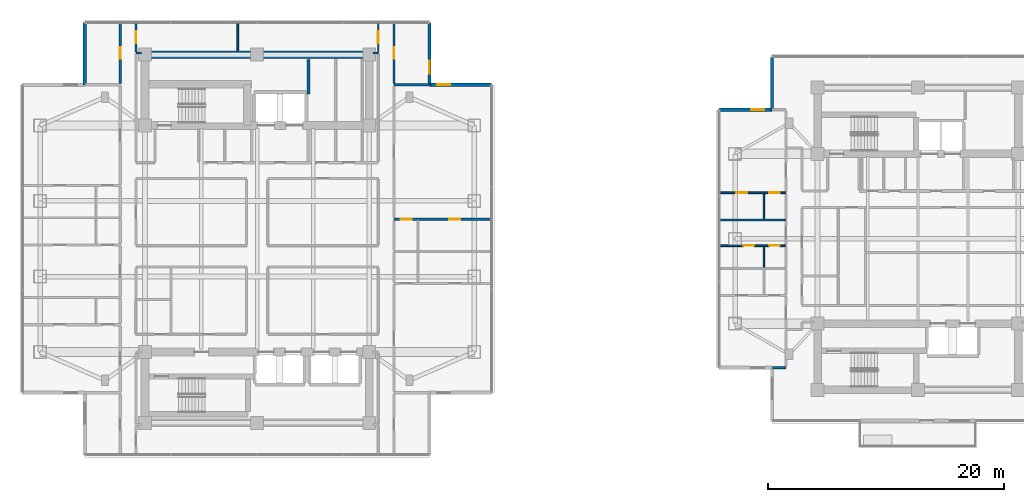
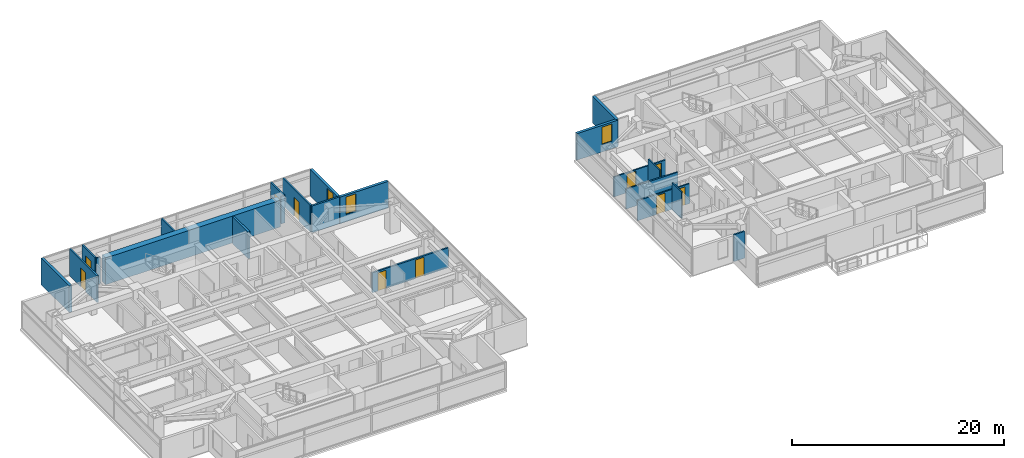
# One storey, part 16 of 24: 22 walls, 10 doors, 3 windows, 13 openings.
"""IFC4 building model written with IfcOpenShell, lengths in metres."""

from ifc_helpers import new_model, si_unit, direction, frame, frame_2d, origin, place, context, subcontext, project, spatial, rectangle, extrude, material, layer, layer_set, type_object, element, fill, save


model = new_model("IFC4")

# Units and contexts
model_context = context("Model", 3, precision=1e-05, world=origin(), true_north=direction((0.0, 1.0)))
body_context = subcontext(model_context, "Body", "Model", "MODEL_VIEW")
ifc_project = project(units=[si_unit("LENGTHUNIT", "METRE"), si_unit("AREAUNIT", "SQUARE_METRE"), si_unit("VOLUMEUNIT", "CUBIC_METRE"), si_unit("PLANEANGLEUNIT", "RADIAN"), si_unit("MASSUNIT", "GRAM", prefix="KILO")], contexts=[model_context])

# Site, building, storey
site_placement = place(None, origin())
site = spatial("IfcSite", under=ifc_project, at=site_placement, CompositionType="ELEMENT")
building_placement = place(site_placement, origin())
building = spatial("IfcBuilding", under=site, at=building_placement, Name="Mirazonda Arch Towers", CompositionType="ELEMENT")
storey_placement = place(building_placement, frame((0.0, 0.0, 118.10009765625)))
storey = spatial("IfcBuildingStorey", under=building, at=storey_placement, Name="L33", CompositionType="ELEMENT", Elevation=118.10009765625)

# Wall
ifc_material_1 = material(Name="Concrete C60/75", Category="concrete")
ifc_layer_1 = layer(ifc_material_1, 0.64990234375, Name="WALL-CORE-650")
ifc_layer_set_1 = layer_set([ifc_layer_1], Name="Concrete C60/75")
wall_type_1 = type_object("IfcWallType", Name="WALL-CORE-650", PredefinedType="SHEAR", material=ifc_layer_set_1)
wall_1_placement = place(storey_placement, frame((11.0, 43.60009765625, 0.0), z_axis=(0.0, 0.0, 1.0), x_axis=(1.0, 0.0, 0.0)))
element("IfcWall", 1, at=wall_1_placement, inside=storey, type_object=wall_type_1, Name="L33 T1N-N Core Shear Wall", PredefinedType="SHEAR", context=body_context, shape_type="SweptSolid", body=[
    extrude(rectangle(XDim=19.0, YDim=0.64990234375, at=frame_2d((9.5, 0.0))), origin(), (0.0, 0.0, 1.0), 3.079833984375),
])

# Wall, opening, window
ifc_material_2 = material(Name="Precast Concrete C40/50", Category="concrete")
ifc_layer_2 = layer(ifc_material_2, 0.280029296875, Name="WALL-EXT-WALL-280")
ifc_layer_set_2 = layer_set([ifc_layer_2], Name="Precast Concrete C40/50")
wall_type_2 = type_object("IfcWallType", Name="WALL-EXT-WALL-280", PredefinedType="SOLIDWALL", material=ifc_layer_set_2)
wall_2_placement = place(storey_placement, frame((35.110107421875, 41.050048828125, 0.0), z_axis=(0.0, 0.0, 1.0), x_axis=(0.0, 1.0, 0.0)))
wall_2 = element("IfcWall", 2, at=wall_2_placement, inside=storey, type_object=wall_type_2, Name="L33 T1 Notched NE Corner Wall WL-L33-T1-CNE", PredefinedType="SOLIDWALL", context=body_context, shape_type="SweptSolid", body=[
    extrude(rectangle(XDim=5.27001953125, YDim=0.280029296875, at=frame_2d((2.635009765625, 0.0))), origin(), (0.0, 0.0, 1.0), 3.059814453125),
])
opening_1_placement = place(wall_2_placement, frame((0.949951171875, 0.0, 0.85009765625)))
opening_1 = element("IfcOpeningElement", 3, at=opening_1_placement, cuts=wall_2, Name="Opening WN-108", PredefinedType="OPENING", context=body_context, shape_type="SweptSolid", body=[
    extrude(rectangle(XDim=1.10009765625, YDim=2.0, at=frame_2d((0.550048828125, 1.0))), frame((0.0, 0.14990234375, 0.0), z_axis=(0.0, -1.0, 0.0), x_axis=(1.0, 0.0, 0.0)), (0.0, 0.0, 1.0), 0.300048828125),
])
ifc_material_3 = material(Name="Insulated Low-E Solar Glass", Category="glass")
window_type = type_object("IfcWindowType", Name="WIN-NOTCH-1100x2000", PartitioningType="SINGLE_PANEL", PredefinedType="WINDOW", material=ifc_material_3)
window_1_placement = place(opening_1_placement, origin())
window_1 = element("IfcWindow", 4, at=window_1_placement, inside=storey, type_object=window_type, Name="L33 Punched Facade Window WN-L33-T1-CNE", OverallHeight=2.0, OverallWidth=1.10009765625, PartitioningType="SINGLE_PANEL", PredefinedType="WINDOW", context=body_context, shape_type="SweptSolid", body=[
    extrude(rectangle(XDim=1.10009765625, YDim=2.0, at=frame_2d((0.550048828125, 1.0))), frame((0.0, 0.030029296875, 0.0), z_axis=(0.0, -1.0, 0.0), x_axis=(1.0, 0.0, 0.0)), (0.0, 0.0, 1.0), 0.06005859375),
])
fill(opening_1, window_1)

# Wall
wall_3_placement = place(storey_placement, frame((5.889892578125, 46.320068359375, 0.0), z_axis=(0.0, 0.0, 1.0), x_axis=(0.0, -1.0, 0.0)))
element("IfcWall", 5, at=wall_3_placement, inside=storey, type_object=wall_type_2, Name="L33 T1 Corner Notch Return Wall WL-L33-T1-CNW2", PredefinedType="SOLIDWALL", context=body_context, shape_type="SweptSolid", body=[
    extrude(rectangle(XDim=5.27001953125, YDim=0.280029296875, at=frame_2d((2.635009765625, 0.0))), origin(), (0.0, 0.0, 1.0), 3.059814453125),
])

# Wall, opening, window
wall_4_placement = place(storey_placement, frame((40.3798828125, 41.050048828125, 0.0), z_axis=(0.0, 0.0, 1.0), x_axis=(-1.0, 0.0, 0.0)))
wall_4 = element("IfcWall", 6, at=wall_4_placement, inside=storey, type_object=wall_type_2, Name="L33 T1 Corner Notch Return Wall WL-L33-T1-CNE2", PredefinedType="SOLIDWALL", context=body_context, shape_type="SweptSolid", body=[
    extrude(rectangle(XDim=5.269775390625, YDim=0.280029296875, at=frame_2d((2.634765625, 0.0))), origin(), (0.0, 0.0, 1.0), 3.059814453125),
])
opening_2_placement = place(wall_4_placement, frame((3.52001953125, 0.0, 0.85009765625)))
opening_2 = element("IfcOpeningElement", 7, at=opening_2_placement, cuts=wall_4, Name="Opening WN-108", PredefinedType="OPENING", context=body_context, shape_type="SweptSolid", body=[
    extrude(rectangle(XDim=1.10009765625, YDim=2.0, at=frame_2d((0.550048828125, 1.0))), frame((0.0, 0.14990234375, 0.0), z_axis=(0.0, -1.0, 0.0), x_axis=(1.0, 0.0, 0.0)), (0.0, 0.0, 1.0), 0.300048828125),
])
window_2_placement = place(opening_2_placement, origin())
window_2 = element("IfcWindow", 8, at=window_2_placement, inside=storey, type_object=window_type, Name="L33 Punched Facade Window WN-L33-T1-CNE2", OverallHeight=2.0, OverallWidth=1.10009765625, PartitioningType="SINGLE_PANEL", PredefinedType="WINDOW", context=body_context, shape_type="SweptSolid", body=[
    extrude(rectangle(XDim=1.10009765625, YDim=2.0, at=frame_2d((0.550048828125, 1.0))), frame((0.0, 0.030029296875, 0.0), z_axis=(0.0, -1.0, 0.0), x_axis=(1.0, 0.0, 0.0)), (0.0, 0.0, 1.0), 0.06005859375),
])
fill(opening_2, window_2)

wall_5_placement = place(storey_placement, frame((64.1416015625, 38.9326171875, 0.0), z_axis=(0.0, 0.0, 1.0), x_axis=(-1.0, 0.0, 0.0)))
wall_5 = element("IfcWall", 9, at=wall_5_placement, inside=storey, type_object=wall_type_2, Name="L33 T2 Corner Notch Return Wall WL-L33-T2-CNW1", PredefinedType="SOLIDWALL", context=body_context, shape_type="SweptSolid", body=[
    extrude(rectangle(XDim=4.486572265625, YDim=0.280029296875, at=frame_2d((2.2431640625, 0.0))), origin(), (0.0, 0.0, 1.0), 3.059814453125),
])
opening_3_placement = place(wall_5_placement, frame((0.64990234375, 0.0, 0.85009765625)))
opening_3 = element("IfcOpeningElement", 10, at=opening_3_placement, cuts=wall_5, Name="Opening WN-108", PredefinedType="OPENING", context=body_context, shape_type="SweptSolid", body=[
    extrude(rectangle(XDim=1.10009765625, YDim=2.0, at=frame_2d((0.550048828125, 1.0))), frame((0.0, 0.14990234375, 0.0), z_axis=(0.0, -1.0, 0.0), x_axis=(1.0, 0.0, 0.0)), (0.0, 0.0, 1.0), 0.300048828125),
])
window_3_placement = place(opening_3_placement, origin())
window_3 = element("IfcWindow", 11, at=window_3_placement, inside=storey, type_object=window_type, Name="L33 Punched Facade Window WN-L33-T2-CNW1", OverallHeight=2.0, OverallWidth=1.10009765625, PartitioningType="SINGLE_PANEL", PredefinedType="WINDOW", context=body_context, shape_type="SweptSolid", body=[
    extrude(rectangle(XDim=1.10009765625, YDim=2.0, at=frame_2d((0.550048828125, 1.0))), frame((0.0, 0.030029296875, 0.0), z_axis=(0.0, -1.0, 0.0), x_axis=(1.0, 0.0, 0.0)), (0.0, 0.0, 1.0), 0.06005859375),
])
fill(opening_3, window_3)

# Walls
wall_6_placement = place(storey_placement, frame((64.1416015625, 43.4189453125, 0.0), z_axis=(0.0, 0.0, 1.0), x_axis=(0.0, -1.0, 0.0)))
element("IfcWall", 12, at=wall_6_placement, inside=storey, type_object=wall_type_2, Name="L33 T2 Corner Notch Return Wall WL-L33-T2-CNW2", PredefinedType="SOLIDWALL", context=body_context, shape_type="SweptSolid", body=[
    extrude(rectangle(XDim=4.486328125, YDim=0.280029296875, at=frame_2d((2.2431640625, 0.0))), origin(), (0.0, 0.0, 1.0), 3.059814453125),
])
ifc_material_4 = material(Name="Concrete C40/50", Category="concrete")
ifc_layer_3 = layer(ifc_material_4, 0.219970703125, Name="WALL-FFL-220")
ifc_layer_set_3 = layer_set([ifc_layer_3], Name="Concrete C40/50")
wall_type_3 = type_object("IfcWallType", Name="WALL-FFL-220", PredefinedType="SOLIDWALL", material=ifc_layer_set_3)
wall_7_placement = place(storey_placement, frame((24.85009765625, 40.260009765625, 0.0), z_axis=(0.0, 0.0, 1.0), x_axis=(0.0, 1.0, 0.0)))
element("IfcWall", 13, at=wall_7_placement, inside=storey, type_object=wall_type_3, Name="L33 Interior Partition 100", PredefinedType="SOLIDWALL", context=body_context, shape_type="SweptSolid", body=[
    extrude(rectangle(XDim=2.93994140625, YDim=0.219970703125, at=frame_2d((1.469970703125, 0.0))), origin(), (0.0, 0.0, 1.0), 3.079833984375),
])

# Wall, openings, doors
ifc_material_5 = material(Name="Fire-Rated Gypsum Stud Partition")
ifc_layer_4 = layer(ifc_material_5, 0.14990234375, Name="WALL-PART-CORR-150")
ifc_layer_set_4 = layer_set([ifc_layer_4], Name="Fire-Rated Gypsum Stud Partition")
wall_type_4 = type_object("IfcWallType", Name="WALL-PART-CORR-150", PredefinedType="PARTITIONING", material=ifc_layer_set_4)
wall_8_placement = place(storey_placement, frame((59.655029296875, 27.412109375, 0.0), z_axis=(0.0, 0.0, 1.0), x_axis=(1.0, 0.0, 0.0)))
wall_8 = element("IfcWall", 14, at=wall_8_placement, inside=storey, type_object=wall_type_4, Name="L33 Interior Partition 038", PredefinedType="PARTITIONING", context=body_context, shape_type="SweptSolid", body=[
    extrude(rectangle(XDim=5.6650390625, YDim=0.14990234375, at=frame_2d((2.83251953125, 0.0))), origin(), (0.0, 0.0, 1.0), 2.298828125),
])
opening_4_placement = place(wall_8_placement, frame((2.03759765625, 0.0, 0.0)))
opening_4 = element("IfcOpeningElement", 15, at=opening_4_placement, cuts=wall_8, Name="Opening DR-104", PredefinedType="OPENING", context=body_context, shape_type="SweptSolid", body=[
    extrude(rectangle(XDim=0.949951171875, YDim=2.14990234375, at=frame_2d((0.47509765625, 1.074951171875))), frame((0.0, 0.0849609375, 0.0), z_axis=(0.0, -1.0, 0.0), x_axis=(1.0, 0.0, 0.0)), (0.0, 0.0, 1.0), 0.169921875),
])
opening_5_placement = place(wall_8_placement, frame((4.2548828125, 0.0, 0.0)))
opening_5 = element("IfcOpeningElement", 16, at=opening_5_placement, cuts=wall_8, Name="Opening DR-120", PredefinedType="OPENING", context=body_context, shape_type="SweptSolid", body=[
    extrude(rectangle(XDim=0.89990234375, YDim=2.10009765625, at=frame_2d((0.449951171875, 1.050048828125))), frame((0.0, 0.0849609375, 0.0), z_axis=(0.0, -1.0, 0.0), x_axis=(1.0, 0.0, 0.0)), (0.0, 0.0, 1.0), 0.169921875),
])
ifc_material_6 = material(Name="Architectural Brushed Steel S355", Category="steel")
door_type_1 = type_object("IfcDoorType", Name="DOOR-ROOM-950", OperationType="NOTDEFINED", PredefinedType="DOOR", material=ifc_material_6)
door_1_placement = place(opening_4_placement, origin())
door_1 = element("IfcDoor", 17, at=door_1_placement, inside=storey, type_object=door_type_1, Name="L33 Studio 2 Galley Kitchen Door", OperationType="SINGLE_SWING_LEFT", OverallHeight=2.14990234375, OverallWidth=0.949951171875, PredefinedType="DOOR", context=body_context, shape_type="SweptSolid", body=[
    extrude(rectangle(XDim=0.949951171875, YDim=2.14990234375, at=frame_2d((0.47509765625, 1.074951171875))), frame((0.0, 0.02490234375, 0.0), z_axis=(0.0, -1.0, 0.0), x_axis=(1.0, 0.0, 0.0)), (0.0, 0.0, 1.0), 0.050048828125),
])
fill(opening_4, door_1)
door_type_2 = type_object("IfcDoorType", Name="DOOR-WC-900", OperationType="NOTDEFINED", PredefinedType="DOOR", material=ifc_material_6)
door_2_placement = place(opening_5_placement, origin())
door_2 = element("IfcDoor", 18, at=door_2_placement, inside=storey, type_object=door_type_2, Name="L33 Studio 2 Bathroom Door", OperationType="SINGLE_SWING_RIGHT", OverallHeight=2.10009765625, OverallWidth=0.89990234375, PredefinedType="DOOR", context=body_context, shape_type="SweptSolid", body=[
    extrude(rectangle(XDim=0.89990234375, YDim=2.10009765625, at=frame_2d((0.449951171875, 1.050048828125))), frame((0.0, 0.02490234375, 0.0), z_axis=(0.0, -1.0, 0.0), x_axis=(1.0, 0.0, 0.0)), (0.0, 0.0, 1.0), 0.050048828125),
])
fill(opening_5, door_2)

# Wall
wall_9_placement = place(storey_placement, frame((59.655029296875, 29.595947265625, 0.0), z_axis=(0.0, 0.0, 1.0), x_axis=(1.0, 0.0, 0.0)))
element("IfcWall", 19, at=wall_9_placement, inside=storey, type_object=wall_type_4, Name="L33 Interior Partition 042", PredefinedType="PARTITIONING", context=body_context, shape_type="SweptSolid", body=[
    extrude(rectangle(XDim=5.6650390625, YDim=0.14990234375, at=frame_2d((2.83251953125, 0.0))), origin(), (0.0, 0.0, 1.0), 2.298828125),
])

# Wall, openings, doors
wall_10_placement = place(storey_placement, frame((59.655029296875, 31.89599609375, 0.0), z_axis=(0.0, 0.0, 1.0), x_axis=(1.0, 0.0, 0.0)))
wall_10 = element("IfcWall", 20, at=wall_10_placement, inside=storey, type_object=wall_type_4, Name="L33 Interior Partition 044", PredefinedType="PARTITIONING", context=body_context, shape_type="SweptSolid", body=[
    extrude(rectangle(XDim=5.6650390625, YDim=0.14990234375, at=frame_2d((2.83251953125, 0.0))), origin(), (0.0, 0.0, 1.0), 2.298828125),
])
opening_6_placement = place(wall_10_placement, frame((1.4375, 0.0, 0.0)))
opening_6 = element("IfcOpeningElement", 21, at=opening_6_placement, cuts=wall_10, Name="Opening DR-104", PredefinedType="OPENING", context=body_context, shape_type="SweptSolid", body=[
    extrude(rectangle(XDim=0.949951171875, YDim=2.14990234375, at=frame_2d((0.47509765625, 1.074951171875))), frame((0.0, 0.0849609375, 0.0), z_axis=(0.0, -1.0, 0.0), x_axis=(1.0, 0.0, 0.0)), (0.0, 0.0, 1.0), 0.169921875),
])
opening_7_placement = place(wall_10_placement, frame((4.2548828125, 0.0, 0.0)))
opening_7 = element("IfcOpeningElement", 22, at=opening_7_placement, cuts=wall_10, Name="Opening DR-120", PredefinedType="OPENING", context=body_context, shape_type="SweptSolid", body=[
    extrude(rectangle(XDim=0.89990234375, YDim=2.10009765625, at=frame_2d((0.449951171875, 1.050048828125))), frame((0.0, 0.0849609375, 0.0), z_axis=(0.0, -1.0, 0.0), x_axis=(1.0, 0.0, 0.0)), (0.0, 0.0, 1.0), 0.169921875),
])
door_3_placement = place(opening_6_placement, origin())
door_3 = element("IfcDoor", 23, at=door_3_placement, inside=storey, type_object=door_type_1, Name="L33 Studio 3 Galley Kitchen Door", OperationType="SINGLE_SWING_RIGHT", OverallHeight=2.14990234375, OverallWidth=0.949951171875, PredefinedType="DOOR", context=body_context, shape_type="SweptSolid", body=[
    extrude(rectangle(XDim=0.949951171875, YDim=2.14990234375, at=frame_2d((0.47509765625, 1.074951171875))), frame((0.0, 0.02490234375, 0.0), z_axis=(0.0, -1.0, 0.0), x_axis=(1.0, 0.0, 0.0)), (0.0, 0.0, 1.0), 0.050048828125),
])
fill(opening_6, door_3)
door_4_placement = place(opening_7_placement, origin())
door_4 = element("IfcDoor", 24, at=door_4_placement, inside=storey, type_object=door_type_2, Name="L33 Studio 3 Bathroom Door", OperationType="SINGLE_SWING_LEFT", OverallHeight=2.10009765625, OverallWidth=0.89990234375, PredefinedType="DOOR", context=body_context, shape_type="SweptSolid", body=[
    extrude(rectangle(XDim=0.89990234375, YDim=2.10009765625, at=frame_2d((0.449951171875, 1.050048828125))), frame((0.0, 0.02490234375, 0.0), z_axis=(0.0, -1.0, 0.0), x_axis=(1.0, 0.0, 0.0)), (0.0, 0.0, 1.0), 0.050048828125),
])
fill(opening_7, door_4)

# Walls
for number, where, z_axis, x_axis, name in (
    (25, (10.239990234375, 43.75, 0.0), (0.0, 0.0, 1.0), (1.0, 0.0, 0.0), "L33 Interior Partition 061"),
    (26, (30.320068359375, 43.75, 0.0), (0.0, 0.0, 1.0), (1.0, 0.0, 0.0), "L33 Interior Partition 062"),
):
    element("IfcWall", number, at=place(storey_placement, frame(where, z_axis=z_axis, x_axis=x_axis)), inside=storey, type_object=wall_type_4, Name=name, PredefinedType="PARTITIONING", context=body_context, shape_type="SweptSolid", body=[
        extrude(rectangle(XDim=0.43994140625, YDim=0.14990234375, at=frame_2d((0.219970703125, 0.0))), origin(), (0.0, 0.0, 1.0), 3.079833984375),
    ])

# Wall, opening, door
wall_11_placement = place(storey_placement, frame((10.239990234375, 43.8349609375, 0.0), z_axis=(0.0, 0.0, 1.0), x_axis=(0.0, 1.0, 0.0)))
wall_11 = element("IfcWall", 27, at=wall_11_placement, inside=storey, type_object=wall_type_4, Name="L33 Interior Partition 080", PredefinedType="PARTITIONING", context=body_context, shape_type="SweptSolid", body=[
    extrude(rectangle(XDim=2.485107421875, YDim=0.14990234375, at=frame_2d((1.24267578125, 0.0))), origin(), (0.0, 0.0, 1.0), 3.079833984375),
])
opening_8_placement = place(wall_11_placement, frame((0.717529296875, 0.0, 0.0)))
opening_8 = element("IfcOpeningElement", 28, at=opening_8_placement, cuts=wall_11, Name="Opening DR-121", PredefinedType="OPENING", context=body_context, shape_type="SweptSolid", body=[
    extrude(rectangle(XDim=1.050048828125, YDim=2.199951171875, at=frame_2d((0.52490234375, 1.10009765625))), frame((0.0, 0.0849609375, 0.0), z_axis=(0.0, -1.0, 0.0), x_axis=(1.0, 0.0, 0.0)), (0.0, 0.0, 1.0), 0.169921875),
])
door_type_3 = type_object("IfcDoorType", Name="DOOR-SUITE-FD60-1050", OperationType="NOTDEFINED", PredefinedType="DOOR", material=ifc_material_6)
door_5_placement = place(opening_8_placement, origin())
door_5 = element("IfcDoor", 29, at=door_5_placement, inside=storey, type_object=door_type_3, Name="L33 North Reading Salon West Door", OperationType="SINGLE_SWING_RIGHT", OverallHeight=2.199951171875, OverallWidth=1.050048828125, PredefinedType="DOOR", context=body_context, shape_type="SweptSolid", body=[
    extrude(rectangle(XDim=1.050048828125, YDim=2.199951171875, at=frame_2d((0.52490234375, 1.10009765625))), frame((0.0, 0.02490234375, 0.0), z_axis=(0.0, -1.0, 0.0), x_axis=(1.0, 0.0, 0.0)), (0.0, 0.0, 1.0), 0.050048828125),
])
fill(opening_8, door_5)

# Wall
wall_12_placement = place(storey_placement, frame((18.85791015625, 43.919921875, 0.0), z_axis=(0.0, 0.0, 1.0), x_axis=(0.0, 1.0, 0.0)))
element("IfcWall", 30, at=wall_12_placement, inside=storey, type_object=wall_type_4, Name="L33 Interior Partition 086", PredefinedType="PARTITIONING", context=body_context, shape_type="SweptSolid", body=[
    extrude(rectangle(XDim=2.400146484375, YDim=0.14990234375, at=frame_2d((1.2001953125, 0.0))), origin(), (0.0, 0.0, 1.0), 3.079833984375),
])

# Wall, opening, door
wall_13_placement = place(storey_placement, frame((30.760009765625, 43.8349609375, 0.0), z_axis=(0.0, 0.0, 1.0), x_axis=(0.0, 1.0, 0.0)))
wall_13 = element("IfcWall", 31, at=wall_13_placement, inside=storey, type_object=wall_type_4, Name="L33 Interior Partition 111", PredefinedType="PARTITIONING", context=body_context, shape_type="SweptSolid", body=[
    extrude(rectangle(XDim=2.485107421875, YDim=0.14990234375, at=frame_2d((1.24267578125, 0.0))), origin(), (0.0, 0.0, 1.0), 3.079833984375),
])
opening_9_placement = place(wall_13_placement, frame((0.717529296875, 0.0, 0.0)))
opening_9 = element("IfcOpeningElement", 32, at=opening_9_placement, cuts=wall_13, Name="Opening DR-121", PredefinedType="OPENING", context=body_context, shape_type="SweptSolid", body=[
    extrude(rectangle(XDim=1.050048828125, YDim=2.199951171875, at=frame_2d((0.52490234375, 1.10009765625))), frame((0.0, 0.0849609375, 0.0), z_axis=(0.0, -1.0, 0.0), x_axis=(1.0, 0.0, 0.0)), (0.0, 0.0, 1.0), 0.169921875),
])
door_6_placement = place(opening_9_placement, origin())
door_6 = element("IfcDoor", 33, at=door_6_placement, inside=storey, type_object=door_type_3, Name="L33 North Reading Salon East Door", OperationType="SINGLE_SWING_LEFT", OverallHeight=2.199951171875, OverallWidth=1.050048828125, PredefinedType="DOOR", context=body_context, shape_type="SweptSolid", body=[
    extrude(rectangle(XDim=1.050048828125, YDim=2.199951171875, at=frame_2d((0.52490234375, 1.10009765625))), frame((0.0, 0.02490234375, 0.0), z_axis=(0.0, -1.0, 0.0), x_axis=(1.0, 0.0, 0.0)), (0.0, 0.0, 1.0), 0.050048828125),
])
fill(opening_9, door_6)

# Wall
ifc_material_7 = material(Name="Fire-Rated Gypsum Twin-Stud Assembly")
ifc_layer_5 = layer(ifc_material_7, 0.179931640625, Name="WALL-PART-DEMISE-180")
ifc_layer_set_5 = layer_set([ifc_layer_5], Name="Fire-Rated Gypsum Twin-Stud Assembly")
wall_type_5 = type_object("IfcWallType", Name="WALL-PART-DEMISE-180", PredefinedType="PARTITIONING", material=ifc_layer_set_5)
wall_14_placement = place(storey_placement, frame((64.16162109375, 17.068115234375, 0.0), z_axis=(0.0, 0.0, 1.0), x_axis=(1.0, 0.0, 0.0)))
element("IfcWall", 34, at=wall_14_placement, inside=storey, type_object=wall_type_5, Name="L33 Interior Partition 009", PredefinedType="PARTITIONING", context=body_context, shape_type="SweptSolid", body=[
    extrude(rectangle(XDim=1.158447265625, YDim=0.179931640625, at=frame_2d((0.5791015625, 0.0))), origin(), (0.0, 0.0, 1.0), 3.079833984375),
])

# Wall, openings, doors
wall_15_placement = place(storey_placement, frame((32.10009765625, 29.652099609375, 0.0), z_axis=(0.0, 0.0, 1.0), x_axis=(1.0, 0.0, 0.0)))
wall_15 = element("IfcWall", 35, at=wall_15_placement, inside=storey, type_object=wall_type_5, Name="L33 Interior Partition 041", PredefinedType="PARTITIONING", context=body_context, shape_type="SweptSolid", body=[
    extrude(rectangle(XDim=8.27978515625, YDim=0.179931640625, at=frame_2d((4.139892578125, 0.0))), origin(), (0.0, 0.0, 1.0), 2.298828125),
])
opening_10_placement = place(wall_15_placement, frame((4.6650390625, 0.0, 0.0)))
opening_10 = element("IfcOpeningElement", 36, at=opening_10_placement, cuts=wall_15, Name="Opening DR-104", PredefinedType="OPENING", context=body_context, shape_type="SweptSolid", body=[
    extrude(rectangle(XDim=0.949951171875, YDim=2.14990234375, at=frame_2d((0.47509765625, 1.074951171875))), frame((0.0, 0.099853515625, 0.0), z_axis=(0.0, -1.0, 0.0), x_axis=(1.0, 0.0, 0.0)), (0.0, 0.0, 1.0), 0.199951171875),
])
opening_11_placement = place(wall_15_placement, frame((0.590087890625, 0.0, 0.0)))
opening_11 = element("IfcOpeningElement", 37, at=opening_11_placement, cuts=wall_15, Name="Opening DR-120", PredefinedType="OPENING", context=body_context, shape_type="SweptSolid", body=[
    extrude(rectangle(XDim=0.89990234375, YDim=2.10009765625, at=frame_2d((0.449951171875, 1.050048828125))), frame((0.0, 0.099853515625, 0.0), z_axis=(0.0, -1.0, 0.0), x_axis=(1.0, 0.0, 0.0)), (0.0, 0.0, 1.0), 0.199951171875),
])
door_7_placement = place(opening_10_placement, origin())
door_7 = element("IfcDoor", 38, at=door_7_placement, inside=storey, type_object=door_type_1, Name="L33 Suite Bedroom 2 Door", OperationType="SINGLE_SWING_LEFT", OverallHeight=2.14990234375, OverallWidth=0.949951171875, PredefinedType="DOOR", context=body_context, shape_type="SweptSolid", body=[
    extrude(rectangle(XDim=0.949951171875, YDim=2.14990234375, at=frame_2d((0.47509765625, 1.074951171875))), frame((0.0, 0.02490234375, 0.0), z_axis=(0.0, -1.0, 0.0), x_axis=(1.0, 0.0, 0.0)), (0.0, 0.0, 1.0), 0.050048828125),
])
fill(opening_10, door_7)
door_8_placement = place(opening_11_placement, origin())
door_8 = element("IfcDoor", 39, at=door_8_placement, inside=storey, type_object=door_type_2, Name="L33 Suite En-Suite Bathroom 2 Door", OperationType="SINGLE_SWING_RIGHT", OverallHeight=2.10009765625, OverallWidth=0.89990234375, PredefinedType="DOOR", context=body_context, shape_type="SweptSolid", body=[
    extrude(rectangle(XDim=0.89990234375, YDim=2.10009765625, at=frame_2d((0.449951171875, 1.050048828125))), frame((0.0, 0.02490234375, 0.0), z_axis=(0.0, -1.0, 0.0), x_axis=(1.0, 0.0, 0.0)), (0.0, 0.0, 1.0), 0.050048828125),
])
fill(opening_11, door_8)

# Wall
wall_16_placement = place(storey_placement, frame((32.10009765625, 41.050048828125, 0.0), z_axis=(0.0, 0.0, 1.0), x_axis=(1.0, 0.0, 0.0)))
element("IfcWall", 40, at=wall_16_placement, inside=storey, type_object=wall_type_5, Name="L33 Interior Partition 060", PredefinedType="PARTITIONING", context=body_context, shape_type="SweptSolid", body=[
    extrude(rectangle(XDim=2.989990234375, YDim=0.179931640625, at=frame_2d((1.4951171875, 0.0))), origin(), (0.0, 0.0, 1.0), 3.079833984375),
])

# Wall, opening, door
wall_17_placement = place(storey_placement, frame((8.89990234375, 41.14990234375, 0.0), z_axis=(0.0, 0.0, 1.0), x_axis=(0.0, 1.0, 0.0)))
wall_17 = element("IfcWall", 41, at=wall_17_placement, inside=storey, type_object=wall_type_5, Name="L33 Interior Partition 073", PredefinedType="PARTITIONING", context=body_context, shape_type="SweptSolid", body=[
    extrude(rectangle(XDim=5.170166015625, YDim=0.179931640625, at=frame_2d((2.5849609375, 0.0))), origin(), (0.0, 0.0, 1.0), 3.079833984375),
])
opening_12_placement = place(wall_17_placement, frame((2.110107421875, 0.0, 0.0)))
opening_12 = element("IfcOpeningElement", 42, at=opening_12_placement, cuts=wall_17, Name="Opening DR-104", PredefinedType="OPENING", context=body_context, shape_type="SweptSolid", body=[
    extrude(rectangle(XDim=0.949951171875, YDim=2.14990234375, at=frame_2d((0.47509765625, 1.074951171875))), frame((0.0, 0.099853515625, 0.0), z_axis=(0.0, -1.0, 0.0), x_axis=(1.0, 0.0, 0.0)), (0.0, 0.0, 1.0), 0.199951171875),
])
door_9_placement = place(opening_12_placement, origin())
door_9 = element("IfcDoor", 43, at=door_9_placement, inside=storey, type_object=door_type_1, Name="L33 North Reading Salon Alcove West Door", OperationType="SINGLE_SWING_RIGHT", OverallHeight=2.14990234375, OverallWidth=0.949951171875, PredefinedType="DOOR", context=body_context, shape_type="SweptSolid", body=[
    extrude(rectangle(XDim=0.949951171875, YDim=2.14990234375, at=frame_2d((0.47509765625, 1.074951171875))), frame((0.0, 0.02490234375, 0.0), z_axis=(0.0, -1.0, 0.0), x_axis=(1.0, 0.0, 0.0)), (0.0, 0.0, 1.0), 0.050048828125),
])
fill(opening_12, door_9)

wall_18_placement = place(storey_placement, frame((32.10009765625, 41.14990234375, 0.0), z_axis=(0.0, 0.0, 1.0), x_axis=(0.0, 1.0, 0.0)))
wall_18 = element("IfcWall", 44, at=wall_18_placement, inside=storey, type_object=wall_type_5, Name="L33 Interior Partition 117", PredefinedType="PARTITIONING", context=body_context, shape_type="SweptSolid", body=[
    extrude(rectangle(XDim=5.170166015625, YDim=0.179931640625, at=frame_2d((2.5849609375, 0.0))), origin(), (0.0, 0.0, 1.0), 3.079833984375),
])
opening_13_placement = place(wall_18_placement, frame((2.110107421875, 0.0, 0.0)))
opening_13 = element("IfcOpeningElement", 45, at=opening_13_placement, cuts=wall_18, Name="Opening DR-104", PredefinedType="OPENING", context=body_context, shape_type="SweptSolid", body=[
    extrude(rectangle(XDim=0.949951171875, YDim=2.14990234375, at=frame_2d((0.47509765625, 1.074951171875))), frame((0.0, 0.099853515625, 0.0), z_axis=(0.0, -1.0, 0.0), x_axis=(1.0, 0.0, 0.0)), (0.0, 0.0, 1.0), 0.199951171875),
])
door_10_placement = place(opening_13_placement, origin())
door_10 = element("IfcDoor", 46, at=door_10_placement, inside=storey, type_object=door_type_1, Name="L33 North Reading Salon Alcove East Door", OperationType="SINGLE_SWING_LEFT", OverallHeight=2.14990234375, OverallWidth=0.949951171875, PredefinedType="DOOR", context=body_context, shape_type="SweptSolid", body=[
    extrude(rectangle(XDim=0.949951171875, YDim=2.14990234375, at=frame_2d((0.47509765625, 1.074951171875))), frame((0.0, 0.02490234375, 0.0), z_axis=(0.0, -1.0, 0.0), x_axis=(1.0, 0.0, 0.0)), (0.0, 0.0, 1.0), 0.050048828125),
])
fill(opening_13, door_10)

# Walls
ifc_material_8 = material(Name="Acoustic Fire-Rated Gypsum Partition")
ifc_layer_6 = layer(ifc_material_8, 0.125, Name="WALL-PART-UNIT-125")
ifc_layer_set_6 = layer_set([ifc_layer_6], Name="Acoustic Fire-Rated Gypsum Partition")
wall_type_6 = type_object("IfcWallType", Name="WALL-PART-UNIT-125", PredefinedType="PARTITIONING", material=ifc_layer_set_6)
wall_19_placement = place(storey_placement, frame((63.43994140625, 25.564453125, 0.0), z_axis=(0.0, 0.0, 1.0), x_axis=(0.0, 1.0, 0.0)))
element("IfcWall", 47, at=wall_19_placement, inside=storey, type_object=wall_type_6, Name="L33 Interior Partition 121", PredefinedType="PARTITIONING", context=body_context, shape_type="SweptSolid", body=[
    extrude(rectangle(XDim=1.762451171875, YDim=0.125, at=frame_2d((0.88134765625, 0.0))), origin(), (0.0, 0.0, 1.0), 3.079833984375),
])
wall_20_placement = place(storey_placement, frame((63.43994140625, 29.680908203125, 0.0), z_axis=(0.0, 0.0, 1.0), x_axis=(0.0, 1.0, 0.0)))
element("IfcWall", 48, at=wall_20_placement, inside=storey, type_object=wall_type_6, Name="L33 Interior Partition 122", PredefinedType="PARTITIONING", context=body_context, shape_type="SweptSolid", body=[
    extrude(rectangle(XDim=2.130126953125, YDim=0.125, at=frame_2d((1.06494140625, 0.0))), origin(), (0.0, 0.0, 1.0), 3.079833984375),
])

save(model, "model.ifc")
